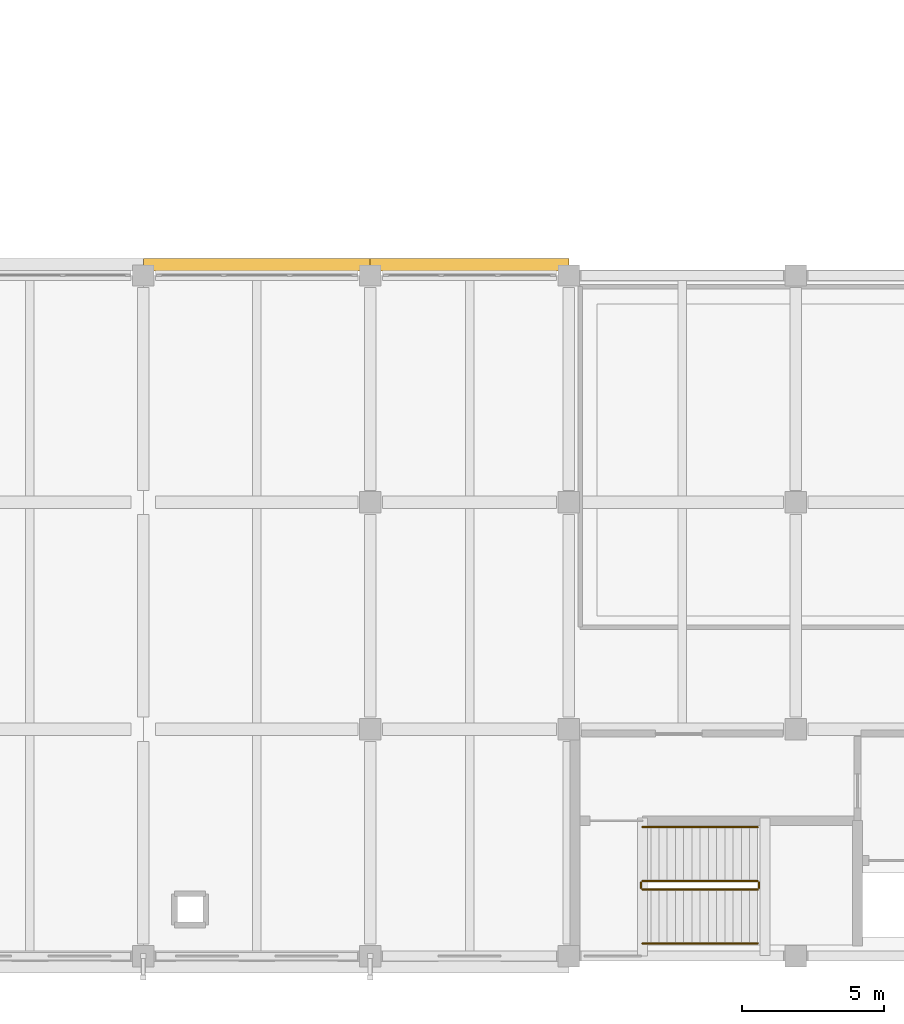
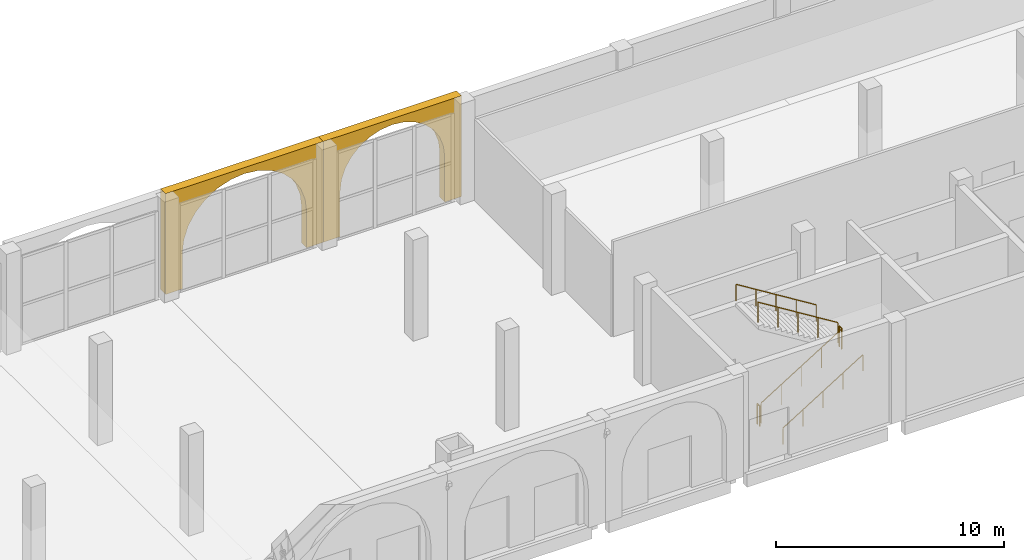
# One storey, part 33 of 40: 6 railings, 2 coverings.
"""IFC4 building model written with IfcOpenShell, lengths in metres."""

import ifcopenshell
import ifcopenshell.guid

model = None  # the IFC model being written
_history = None  # IfcOwnerHistory: only IFC2X3 demands one
_inside = {}  # id of a spatial element -> (the spatial element, [elements in it])
_under = {}  # id of a project, library or spatial element -> (it, [spatial elements below it])
_declared = {}  # id of a project -> (the project, [libraries it declares])
_typed = {}  # id of a type object -> (the type object, [elements of that type])
_made_of = {}  # id of a material, layer set ... -> (it, [elements and type objects made of it])


def new_model(schema):
    """Start an empty IFC model of exactly this schema.

    Asked for "IFC4X3", IfcOpenShell would pick the latest addendum, in which some entities
    have other attributes; the version numbers below select the first issue.
    IFC2X3 requires an IfcOwnerHistory on every rooted entity: one is made here for all.
    """
    global model, _history
    if schema == "IFC4X3":
        model = ifcopenshell.file(schema_version=(4, 3, 0, 0))
    else:
        model = ifcopenshell.file(schema=schema)
    _inside.clear()
    _under.clear()
    _declared.clear()
    _typed.clear()
    _made_of.clear()
    _history = None
    if model.schema == "IFC2X3":
        org = make("IfcOrganization", Name="unknown")
        user = make(
            "IfcPersonAndOrganization",
            ThePerson=make("IfcPerson", FamilyName="unknown"),
            TheOrganization=org,
        )
        app = make(
            "IfcApplication",
            ApplicationDeveloper=org,
            Version="unknown",
            ApplicationFullName="unknown",
            ApplicationIdentifier="unknown",
        )
        _history = make(
            "IfcOwnerHistory",
            OwningUser=user,
            OwningApplication=app,
            ChangeAction="ADDED",
            CreationDate=0,
        )
    return model


def make(cls, **values):
    """One entity of the class cls with the attributes given. An attribute that is None is left unset."""
    return model.create_entity(
        cls, **{name: value for name, value in values.items() if value is not None}
    )


def rooted(cls, **values):
    """An entity with a GlobalId (a new one), such as an element, a storey or a relation."""
    return make(cls, GlobalId=ifcopenshell.guid.new(), OwnerHistory=_history, **values)


def si_unit(unit_type, name, prefix=None):
    """IfcSIUnit, for example si_unit("LENGTHUNIT", "METRE", prefix="MILLI")."""
    return make("IfcSIUnit", UnitType=unit_type, Prefix=prefix, Name=name)


def assignment(units):
    """IfcUnitAssignment: the units of a project."""
    return None if units is None else make("IfcUnitAssignment", Units=units)


def point(xyz):
    """IfcCartesianPoint."""
    return None if xyz is None else make("IfcCartesianPoint", Coordinates=xyz)


def direction(xyz):
    """IfcDirection."""
    return None if xyz is None else make("IfcDirection", DirectionRatios=xyz)


def frame(location, z_axis=None, x_axis=None):
    """IfcAxis2Placement3D, a coordinate frame: its origin and axes. An axis left out is left unset."""
    return make(
        "IfcAxis2Placement3D",
        Location=point(location),
        Axis=direction(z_axis),
        RefDirection=direction(x_axis),
    )


def frame_2d(location, x_axis=None):
    """IfcAxis2Placement2D, a coordinate frame in the plane: its origin and x axis."""
    return make(
        "IfcAxis2Placement2D", Location=point(location), RefDirection=direction(x_axis)
    )


def origin():
    """The frame at (0, 0, 0) with its axes left unset."""
    return frame((0.0, 0.0, 0.0))


def origin_2d():
    """The frame at (0, 0) in the plane with its x axis left unset."""
    return frame_2d((0.0, 0.0))


def place(relative_to, where):
    """IfcLocalPlacement: puts the frame where relative to a parent placement (None: the world)."""
    return make(
        "IfcLocalPlacement", PlacementRelTo=relative_to, RelativePlacement=where
    )


def context(
    kind, dimensions, precision=None, world=None, true_north=None, identifier=None
):
    """IfcGeometricRepresentationContext, for example the 3D "Model" context."""
    return make(
        "IfcGeometricRepresentationContext",
        ContextIdentifier=identifier,
        ContextType=kind,
        CoordinateSpaceDimension=dimensions,
        Precision=precision,
        WorldCoordinateSystem=world,
        TrueNorth=true_north,
    )


def subcontext(parent, identifier, kind, view, scale=None):
    """IfcGeometricRepresentationSubContext, for example "Body" below "Model"."""
    return make(
        "IfcGeometricRepresentationSubContext",
        ContextIdentifier=identifier,
        ContextType=kind,
        ParentContext=parent,
        TargetScale=scale,
        TargetView=view,
    )


def project(units=None, contexts=None):
    """IfcProject with its units and contexts."""
    return rooted(
        "IfcProject",
        Name="project",
        RepresentationContexts=contexts,
        UnitsInContext=assignment(units),
    )


def spatial(cls, under=None, at=None, **own):
    """A site, building, storey or space (cls), placed at a placement, below another one or the project."""
    s = rooted(cls, ObjectPlacement=at, **own)
    if under is not None:
        _under.setdefault(under.id(), (under, []))[1].append(s)
    return s


def polyline(points):
    """IfcPolyline through the points."""
    return make("IfcPolyline", Points=[point(p) for p in points])


def profile(cls, at=None, kind="AREA", **sizes):
    """A parametric profile (cls). Its sizes go by their IFC names, for example OverallWidth=200.0."""
    return make(cls, ProfileType=kind, Position=at, **sizes)


def circle(**sizes):
    """IfcCircleProfileDef."""
    return profile("IfcCircleProfileDef", **sizes)


def outline(outer, holes=None, kind="AREA"):
    """IfcArbitraryClosedProfileDef: a profile drawn as a closed curve; with holes, ...WithVoids."""
    if holes is None:
        return make("IfcArbitraryClosedProfileDef", ProfileType=kind, OuterCurve=outer)
    return make(
        "IfcArbitraryProfileDefWithVoids",
        ProfileType=kind,
        OuterCurve=outer,
        InnerCurves=holes,
    )


def extrude(swept, where, along, depth):
    """IfcExtrudedAreaSolid: the profile swept, set in the frame where, extruded along a direction by depth."""
    return make(
        "IfcExtrudedAreaSolid",
        SweptArea=swept,
        Position=where,
        ExtrudedDirection=direction(along),
        Depth=depth,
    )


def shape(context_of_items, identifier, shape_type, items):
    """IfcShapeRepresentation: the items that make up one representation, for example the "Body"."""
    return make(
        "IfcShapeRepresentation",
        ContextOfItems=context_of_items,
        RepresentationIdentifier=identifier,
        RepresentationType=shape_type,
        Items=items,
    )


def material(Name=None, Category=None):
    """IfcMaterial."""
    return make("IfcMaterial", Name=Name, Category=Category)


def layer(
    of_material, thickness, ventilated=None, Name=None, Category=None, Priority=None
):
    """IfcMaterialLayer: one layer of a wall or slab, of a material (None: an air gap)."""
    return make(
        "IfcMaterialLayer",
        Material=of_material,
        LayerThickness=thickness,
        IsVentilated=ventilated,
        Name=Name,
        Category=Category,
        Priority=Priority,
    )


def layer_set(layers, Name=None):
    """IfcMaterialLayerSet."""
    return make("IfcMaterialLayerSet", MaterialLayers=layers, LayerSetName=Name)


def made_of(thing, what):
    """Note that an element or type object is made of a material, layer set ...; save() writes the relation."""
    if what is not None:
        _made_of.setdefault(what.id(), (what, []))[1].append(thing)
    return thing


def type_object(cls, material=None, **own):
    """A type object (cls), such as IfcWallType, which elements share."""
    return made_of(rooted(cls, **own), material)


def element(
    cls,
    number,
    at=None,
    inside=None,
    cuts=None,
    type_object=None,
    material=None,
    context=None,
    identifier="Body",
    shape_type=None,
    held_by="IfcProductDefinitionShape",
    body=None,
    shapes=None,
    **own,
):
    """One element of the class cls, such as IfcWall. Its Tag is "e" and its number.

    at: its placement. inside: the storey or other place that contains it. cuts: it is an
    opening in that element (IfcRelVoidsElement). A single representation is given by context,
    identifier, shape_type and body (its items); several are given by shapes. held_by: the class
    of the entity that holds the representations. save() writes the other relations.
    """
    e = rooted(cls, Tag="e%d" % number, ObjectPlacement=at, **own)
    if body is not None:
        shapes = [shape(context, identifier, shape_type, body)]
    if shapes is not None:
        e.Representation = make(held_by, Representations=shapes)
    if inside is not None:
        _inside.setdefault(inside.id(), (inside, []))[1].append(e)
    if cuts is not None:
        rooted(
            "IfcRelVoidsElement", RelatingBuildingElement=cuts, RelatedOpeningElement=e
        )
    if type_object is not None:
        _typed.setdefault(type_object.id(), (type_object, []))[1].append(e)
    return made_of(e, material)


def aggregate(whole, parts):
    """IfcRelAggregates: a whole, such as a stair, and the parts it consists of."""
    return rooted("IfcRelAggregates", RelatingObject=whole, RelatedObjects=parts)


def save(model, path):
    """Write the relations noted so far, then the file.

    IfcRelAggregates (storeys below a building ...), IfcRelContainedInSpatialStructure (elements
    in a storey), IfcRelDefinesByType, IfcRelAssociatesMaterial and IfcRelDeclares: one each for
    every whole, place, type object, material and project.
    """
    for whole, parts in _under.values():
        aggregate(whole, parts)
    for where, things in _inside.values():
        rooted(
            "IfcRelContainedInSpatialStructure",
            RelatedElements=things,
            RelatingStructure=where,
        )
    for kind, things in _typed.values():
        rooted("IfcRelDefinesByType", RelatedObjects=things, RelatingType=kind)
    for what, things in _made_of.values():
        rooted("IfcRelAssociatesMaterial", RelatedObjects=things, RelatingMaterial=what)
    for by, libraries in _declared.values():
        rooted("IfcRelDeclares", RelatingContext=by, RelatedDefinitions=libraries)
    model.write(path)


model = new_model("IFC4")

# Units and contexts
model_context = context("Model", 3, precision=1e-05, world=origin(), true_north=direction((0.0, 1.0)))
body_context = subcontext(model_context, "Body", "Model", "MODEL_VIEW")
ifc_project = project(units=[si_unit("LENGTHUNIT", "METRE"), si_unit("AREAUNIT", "SQUARE_METRE"), si_unit("VOLUMEUNIT", "CUBIC_METRE"), si_unit("PLANEANGLEUNIT", "RADIAN"), si_unit("MASSUNIT", "GRAM", prefix="KILO")], contexts=[model_context])

# Site, building, storey
site_placement = place(None, origin())
site = spatial("IfcSite", under=ifc_project, at=site_placement, CompositionType="ELEMENT")
building_placement = place(site_placement, origin())
building = spatial("IfcBuilding", under=site, at=building_placement, Name="Qorikala Patio Media Centre", CompositionType="ELEMENT")
storey_placement = place(building_placement, origin())
storey = spatial("IfcBuildingStorey", under=building, at=storey_placement, Name="L00", CompositionType="ELEMENT", Elevation=0.0)

# Coverings
ifc_material_1 = material(Name="Comanche Granite Ashlar Stone", Category="masonry")
ifc_layer = layer(ifc_material_1, 0.06005859375)
ifc_layer_set = layer_set([ifc_layer], Name="Comanche Granite Ashlar Stone")
covering_type = type_object("IfcCoveringType", Name="COV-CLAD-STONE", PredefinedType="CLADDING", material=ifc_layer_set)
covering_1_placement = place(storey_placement, frame((67.0, 27.3798828125, 0.0), z_axis=(0.0, 0.0, 1.0), x_axis=(1.0, 0.0, 0.0)))
element("IfcCovering", 1, at=covering_1_placement, inside=storey, type_object=covering_type, Name="Spanish Colonial Stone Arched Arcade PORT-P3", PredefinedType="CLADDING", context=body_context, shape_type="SweptSolid", body=[
    extrude(outline(polyline([(0.0, 0.0), (0.85009765625, 0.0), (0.85009765625, 1.929931640625), (0.928955078125, 2.630859375), (1.161865234375, 3.296630859375), (1.537109375, 3.893798828125), (2.035888671875, 4.392578125), (2.63330078125, 4.76806640625), (3.299072265625, 5.0009765625), (4.0, 5.079833984375), (4.700927734375, 5.0009765625), (5.36669921875, 4.76806640625), (5.964111328125, 4.392578125), (6.462890625, 3.893798828125), (6.838134765625, 3.296630859375), (7.071044921875, 2.630859375), (7.14990234375, 1.929931640625), (7.14990234375, 0.0), (8.0, 0.0), (8.0, 5.39990234375), (0.0, 5.39990234375), (0.0, 0.0)])), frame((0.0, 0.219970703125, 0.0), z_axis=(0.0, -1.0, 0.0), x_axis=(1.0, 0.0, 0.0)), (0.0, 0.0, 1.0), 0.43994140625),
])
covering_2_placement = place(storey_placement, frame((75.0, 27.3798828125, 0.0), z_axis=(0.0, 0.0, 1.0), x_axis=(1.0, 0.0, 0.0)))
element("IfcCovering", 2, at=covering_2_placement, inside=storey, type_object=covering_type, Name="Spanish Colonial Stone Arched Arcade PORT-P4", PredefinedType="CLADDING", context=body_context, shape_type="SweptSolid", body=[
    extrude(outline(polyline([(0.0, 0.0), (0.85009765625, 0.0), (0.85009765625, 2.429931640625), (0.91650390625, 3.01953125), (1.1123046875, 3.57958984375), (1.427978515625, 4.082275390625), (1.847900390625, 4.501708984375), (2.35009765625, 4.8173828125), (2.910400390625, 5.013427734375), (3.5, 5.079833984375), (4.089599609375, 5.013427734375), (4.64990234375, 4.8173828125), (5.152099609375, 4.501708984375), (5.572021484375, 4.082275390625), (5.8876953125, 3.57958984375), (6.08349609375, 3.01953125), (6.14990234375, 2.429931640625), (6.14990234375, 0.0), (7.0, 0.0), (7.0, 5.39990234375), (0.0, 5.39990234375), (0.0, 0.0)])), frame((0.0, 0.219970703125, 0.0), z_axis=(0.0, -1.0, 0.0), x_axis=(1.0, 0.0, 0.0)), (0.0, 0.0, 1.0), 0.43994140625),
])

# Railings
ifc_material_2 = material(Name="Wrought Bronze and Steel S355", Category="steel")
railing_type_1 = type_object("IfcRailingType", Name="RL-GUARD-110", PredefinedType="GUARDRAIL", material=ifc_material_2)
railing_1_placement = place(storey_placement, frame((84.60009765625, 5.35009765625, 0.179931640625)))
element("IfcRailing", 3, at=railing_1_placement, inside=storey, type_object=railing_type_1, Name="L00 ST-4 stair guard 1", PredefinedType="GUARDRAIL", context=body_context, shape_type="SweptSolid", body=[
    extrude(circle(Radius=0.02392578125, at=origin_2d()), frame((0.0, 0.0, 1.076171875), z_axis=(0.849627535208, 0.0, 0.527383211162), x_axis=(0.0, 1.0, 0.0)), (0.0, 0.0, 1.0), 4.7783203125),
    extrude(circle(Radius=0.02099609375, at=origin_2d()), origin(), (0.0, 0.0, 1.0), 1.052001953125),
    extrude(circle(Radius=0.02099609375, at=origin_2d()), frame((1.014892578125, 0.0, 0.6298828125)), (0.0, 0.0, 1.0), 1.052001953125),
    extrude(circle(Radius=0.02099609375, at=origin_2d()), frame((2.02978515625, 0.0, 1.260009765625)), (0.0, 0.0, 1.0), 1.052001953125),
    extrude(circle(Radius=0.02099609375, at=origin_2d()), frame((3.044921875, 0.0, 1.89013671875)), (0.0, 0.0, 1.0), 1.052001953125),
    extrude(circle(Radius=0.02099609375, at=origin_2d()), frame((4.059814453125, 0.0, 2.52001953125)), (0.0, 0.0, 1.0), 1.052001953125),
])
railing_2_placement = place(storey_placement, frame((88.7099609375, 5.39990234375, 2.699951171875)))
element("IfcRailing", 4, at=railing_2_placement, inside=storey, type_object=railing_type_1, Name="L00 ST-4 stair guard 2", PredefinedType="GUARDRAIL", context=body_context, shape_type="SweptSolid", body=[
    extrude(circle(Radius=0.02392578125, at=origin_2d()), frame((0.0, 0.0, 1.076171875), z_axis=(0.0, 1.0, 0.0), x_axis=(-1.0, 0.0, 0.0)), (0.0, 0.0, 1.0), 0.2001953125),
    extrude(circle(Radius=0.02099609375, at=origin_2d()), origin(), (0.0, 0.0, 1.0), 1.052001953125),
    extrude(circle(Radius=0.02099609375, at=origin_2d()), frame((0.0, 0.2001953125, 0.0)), (0.0, 0.0, 1.0), 1.052001953125),
])
railing_3_placement = place(storey_placement, frame((88.659912109375, 5.64990234375, 2.8798828125)))
element("IfcRailing", 5, at=railing_3_placement, inside=storey, type_object=railing_type_1, Name="L00 ST-4 stair guard 3", PredefinedType="GUARDRAIL", context=body_context, shape_type="SweptSolid", body=[
    extrude(circle(Radius=0.02392578125, at=origin_2d()), frame((0.0, 0.0, 1.076171875), z_axis=(-0.849627535208, 0.0, 0.527383211162), x_axis=(0.0, -1.0, 0.0)), (0.0, 0.0, 1.0), 4.7783203125),
    extrude(circle(Radius=0.02099609375, at=origin_2d()), origin(), (0.0, 0.0, 1.0), 1.052001953125),
    extrude(circle(Radius=0.02099609375, at=origin_2d()), frame((-1.014892578125, 0.0, 0.6298828125)), (0.0, 0.0, 1.0), 1.052001953125),
    extrude(circle(Radius=0.02099609375, at=origin_2d()), frame((-2.02978515625, 0.0, 1.260009765625)), (0.0, 0.0, 1.0), 1.052001953125),
    extrude(circle(Radius=0.02099609375, at=origin_2d()), frame((-3.044921875, 0.0, 1.89013671875)), (0.0, 0.0, 1.0), 1.052001953125),
    extrude(circle(Radius=0.02099609375, at=origin_2d()), frame((-4.059814453125, 0.0, 2.52001953125)), (0.0, 0.0, 1.0), 1.052001953125),
])
railing_4_placement = place(storey_placement, frame((84.550048828125, 5.39990234375, 0.0)))
element("IfcRailing", 6, at=railing_4_placement, inside=storey, type_object=railing_type_1, Name="L00 ST-4 stair guard 4", PredefinedType="GUARDRAIL", context=body_context, shape_type="SweptSolid", body=[
    extrude(circle(Radius=0.02392578125, at=origin_2d()), frame((0.0, 0.0, 1.076171875), z_axis=(0.0, 1.0, 0.0), x_axis=(-1.0, 0.0, 0.0)), (0.0, 0.0, 1.0), 0.2001953125),
    extrude(circle(Radius=0.02099609375, at=origin_2d()), origin(), (0.0, 0.0, 1.0), 1.052001953125),
    extrude(circle(Radius=0.02099609375, at=origin_2d()), frame((0.0, 0.2001953125, 0.0)), (0.0, 0.0, 1.0), 1.052001953125),
])
ifc_material_3 = material(Name="Brushed Bronze Tubular Steel S355", Category="steel")
railing_type_2 = type_object("IfcRailingType", Name="RL-HAND-090", PredefinedType="HANDRAIL", material=ifc_material_3)
railing_5_placement = place(storey_placement, frame((84.60009765625, 3.449951171875, 0.179931640625)))
element("IfcRailing", 7, at=railing_5_placement, inside=storey, type_object=railing_type_2, Name="L00 ST-4 stair handrail 1", PredefinedType="HANDRAIL", context=body_context, shape_type="SweptSolid", body=[
    extrude(circle(Radius=0.02392578125, at=origin_2d()), frame((0.0, 0.0, 0.8759765625), z_axis=(0.849627535208, 0.0, 0.527383211162), x_axis=(0.0, 1.0, 0.0)), (0.0, 0.0, 1.0), 4.7783203125),
    extrude(circle(Radius=0.02099609375, at=origin_2d()), origin(), (0.0, 0.0, 1.0), 0.851806640625),
    extrude(circle(Radius=0.02099609375, at=origin_2d()), frame((1.014892578125, 0.0, 0.6298828125)), (0.0, 0.0, 1.0), 0.851806640625),
    extrude(circle(Radius=0.02099609375, at=origin_2d()), frame((2.02978515625, 0.0, 1.260009765625)), (0.0, 0.0, 1.0), 0.851806640625),
    extrude(circle(Radius=0.02099609375, at=origin_2d()), frame((3.044921875, 0.0, 1.89013671875)), (0.0, 0.0, 1.0), 0.851806640625),
    extrude(circle(Radius=0.02099609375, at=origin_2d()), frame((4.059814453125, 0.0, 2.52001953125)), (0.0, 0.0, 1.0), 0.851806640625),
])
railing_6_placement = place(storey_placement, frame((88.659912109375, 7.550048828125, 2.8798828125)))
element("IfcRailing", 8, at=railing_6_placement, inside=storey, type_object=railing_type_2, Name="L00 ST-4 stair handrail 2", PredefinedType="HANDRAIL", context=body_context, shape_type="SweptSolid", body=[
    extrude(circle(Radius=0.02392578125, at=origin_2d()), frame((0.0, 0.0, 0.8759765625), z_axis=(-0.849627535208, 0.0, 0.527383211162), x_axis=(0.0, -1.0, 0.0)), (0.0, 0.0, 1.0), 4.7783203125),
    extrude(circle(Radius=0.02099609375, at=origin_2d()), origin(), (0.0, 0.0, 1.0), 0.851806640625),
    extrude(circle(Radius=0.02099609375, at=origin_2d()), frame((-1.014892578125, 0.0, 0.6298828125)), (0.0, 0.0, 1.0), 0.851806640625),
    extrude(circle(Radius=0.02099609375, at=origin_2d()), frame((-2.02978515625, 0.0, 1.260009765625)), (0.0, 0.0, 1.0), 0.851806640625),
    extrude(circle(Radius=0.02099609375, at=origin_2d()), frame((-3.044921875, 0.0, 1.89013671875)), (0.0, 0.0, 1.0), 0.851806640625),
    extrude(circle(Radius=0.02099609375, at=origin_2d()), frame((-4.059814453125, 0.0, 2.52001953125)), (0.0, 0.0, 1.0), 0.851806640625),
])

save(model, "model.ifc")
